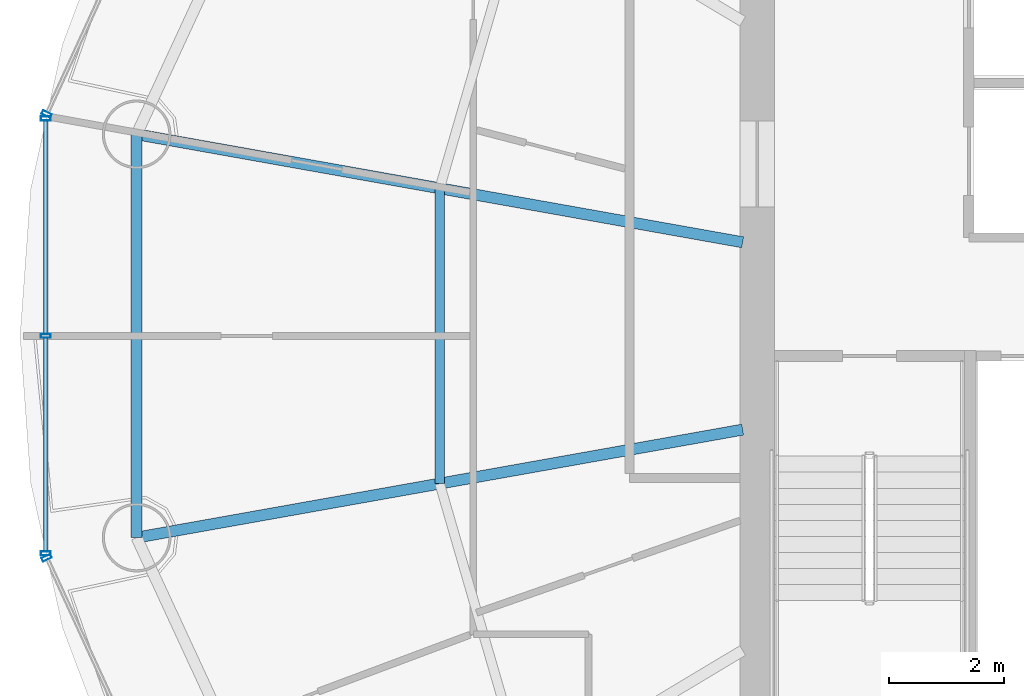
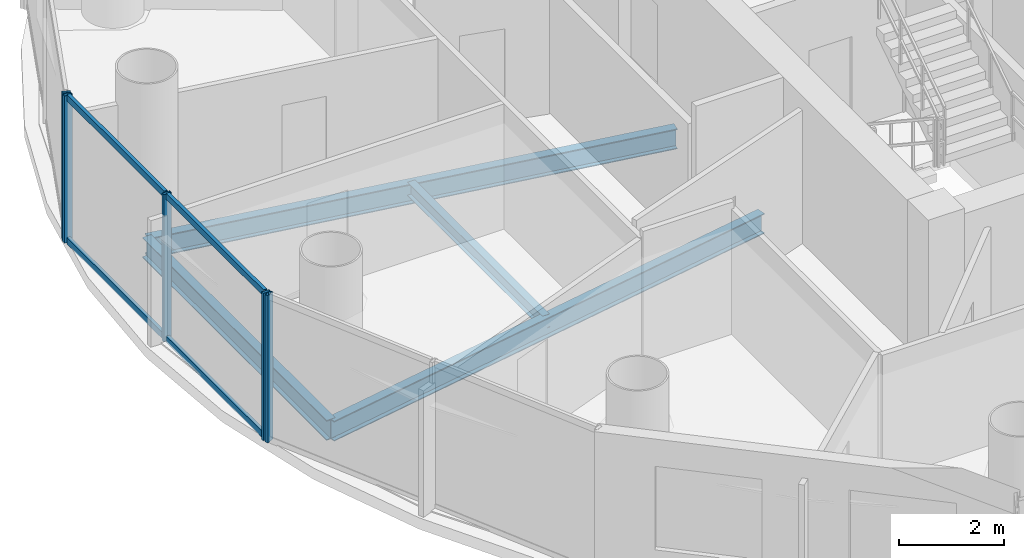
# One storey, part 8 of 26: 9 members, 4 beams, 3 elements without a shape of their own.
"""IFC4 building model written with IfcOpenShell, lengths in metres."""

from ifc_helpers import new_model, si_unit, direction, frame, origin, origin_2d, place, context, subcontext, project, spatial, hollow_rectangle, i_section, extrude, source, transform, mapped, material, material_profile, profile_set, type_object, element, aggregate, save


model = new_model("IFC4")

# Units and contexts
model_context = context("Model", 3, precision=1e-05, world=origin(), true_north=direction((-0.2419218956, 0.970295726276)))
body_context = subcontext(model_context, "Body", "Model", "MODEL_VIEW")
ifc_project = project(units=[si_unit("LENGTHUNIT", "METRE"), si_unit("AREAUNIT", "SQUARE_METRE"), si_unit("VOLUMEUNIT", "CUBIC_METRE"), si_unit("PLANEANGLEUNIT", "RADIAN"), si_unit("MASSUNIT", "GRAM", prefix="KILO")], contexts=[model_context])

# Site, building, storey
site_placement = place(None, origin())
site = spatial("IfcSite", under=ifc_project, at=site_placement, CompositionType="ELEMENT")
building_placement = place(site_placement, origin())
building = spatial("IfcBuilding", under=site, at=building_placement, Name="Cobrevalo Terracotta Tower", CompositionType="ELEMENT")
storey_placement = place(building_placement, frame((0.0, 0.0, 231.89990234375)))
storey = spatial("IfcBuildingStorey", under=building, at=storey_placement, Name="L61", CompositionType="ELEMENT", Elevation=231.89990234375)

# Beams
ifc_material_1 = material(Name="Steel S355", Category="steel")
ifc_material_profile_1 = material_profile(ifc_material_1, i_section(OverallWidth=0.194091796875, OverallDepth=0.468994140625, WebThickness=0.011474609375, FlangeThickness=0.0205078125, at=origin_2d()), Name="W 460x106")
ifc_profile_set_1 = profile_set([ifc_material_profile_1], Name="Steel S355")
beam_type_1 = type_object("IfcBeamType", Name="Structural Beam W 460x106 (Steel S355)", PredefinedType="BEAM", material=ifc_profile_set_1)
for number, where, z_axis, x_axis, name in (
    (1, (18.237060546875, 30.3212890625, -0.49951171875), (0.98449712063, -0.175400739656, 0.0), (0.175400739656, 0.98449712063, 0.0), "L61 radial floor girder 08"),
    (2, (18.237060546875, 23.278564453125, -0.49951171875), (0.984493198547, 0.175422752274, 0.0), (-0.175422752274, 0.984493198547, 0.0), "L61 radial floor girder 09"),
):
    element("IfcBeam", number, at=place(storey_placement, frame(where, z_axis=z_axis, x_axis=x_axis)), inside=storey, type_object=beam_type_1, Name=name, PredefinedType="BEAM", context=body_context, shape_type="SweptSolid", body=[
        extrude(i_section(OverallWidth=0.194091796875, OverallDepth=0.468994140625, WebThickness=0.011474609375, FlangeThickness=0.0205078125, at=origin_2d()), origin(), (0.0, 0.0, 1.0), 10.749755859375),
    ])
ifc_material_profile_2 = material_profile(ifc_material_1, i_section(OverallWidth=0.1650390625, OverallDepth=0.31005859375, WebThickness=0.005859375, FlangeThickness=0.009765625, at=origin_2d()), Name="W 310x38.7")
ifc_profile_set_2 = profile_set([ifc_material_profile_2], Name="Steel S355")
beam_type_2 = type_object("IfcBeamType", Name="Structural Joist W 310x38.7 (Steel S355)", PredefinedType="JOIST", material=ifc_profile_set_2)
beam_1_placement = place(storey_placement, frame((23.528564453125, 29.378662109375, -0.419921875), z_axis=(0.0, -1.0, 0.0), x_axis=(1.0, 0.0, 0.0)))
element("IfcBeam", 3, at=beam_1_placement, inside=storey, type_object=beam_type_2, Name="L61 circumferential secondary floor joist 08", PredefinedType="JOIST", context=body_context, shape_type="SweptSolid", body=[
    extrude(i_section(OverallWidth=0.1650390625, OverallDepth=0.31005859375, WebThickness=0.005859375, FlangeThickness=0.009765625, at=origin_2d()), origin(), (0.0, 0.0, 1.0), 5.1572265625),
])
ifc_material_profile_3 = material_profile(ifc_material_1, i_section(OverallWidth=0.194091796875, OverallDepth=0.468994140625, WebThickness=0.011474609375, FlangeThickness=0.0205078125, at=origin_2d()), Name="W 460x106")
ifc_profile_set_3 = profile_set([ifc_material_profile_3], Name="Steel S355")
beam_type_3 = type_object("IfcBeamType", Name="Structural Spandrel W 460x106 (Steel S355)", PredefinedType="SPANDREL", material=ifc_profile_set_3)
beam_2_placement = place(storey_placement, frame((18.237060546875, 30.3212890625, -0.49951171875), z_axis=(0.0, -1.0, 0.0), x_axis=(1.0, 0.0, 0.0)))
element("IfcBeam", 4, at=beam_2_placement, inside=storey, type_object=beam_type_3, Name="L61 perimeter ring spandrel 08", PredefinedType="SPANDREL", context=body_context, shape_type="SweptSolid", body=[
    extrude(i_section(OverallWidth=0.194091796875, OverallDepth=0.468994140625, WebThickness=0.011474609375, FlangeThickness=0.0205078125, at=origin_2d()), origin(), (0.0, 0.0, 1.0), 7.042724609375),
])

# Curtain wall, members
ifc_material_2 = material(Name="Anodized aluminium", Category="aluminium")
curtain_wall_type = type_object("IfcCurtainWallType", Name="Mid-tower high-wind unitised curtain wall CW-U2", PredefinedType="NOTDEFINED", material=ifc_material_2)
curtain_wall_1_placement = place(storey_placement, origin())
curtain_wall_1 = element("IfcCurtainWall", 5, at=curtain_wall_1_placement, inside=storey, type_object=curtain_wall_type, Name="L61 curtain wall CW-L61-S08", PredefinedType="NOTDEFINED")
ifc_material_profile_4 = material_profile(ifc_material_2, hollow_rectangle(XDim=0.074951171875, YDim=0.14990234375, WallThickness=0.00439453125, at=origin_2d()), Name="CWT 75x150")
ifc_profile_set_4 = profile_set([ifc_material_profile_4], Name="Anodized aluminium")
member_type_1 = type_object("IfcMemberType", Name="Tower unitised aluminium transom 75x150", PredefinedType="USERDEFINED", material=ifc_profile_set_4)
shared_shape_1 = source(origin(), body_context, "Body", "SweptSolid", [
    extrude(hollow_rectangle(XDim=0.074951171875, YDim=0.14990234375, WallThickness=0.00439453125, at=origin_2d()), origin(), (0.0, 0.0, 1.0), 3.71728515625),
])
member_1_placement = place(storey_placement, frame((16.648193359375, 30.557373046875, 0.050048828125), z_axis=(0.0, -1.0, 0.0), x_axis=(1.0, 0.0, 0.0)))
member_1 = element("IfcMember", 6, at=member_1_placement, type_object=member_type_1, Name="CW-L61-S08 transom B01-T1", ObjectType="TRANSOM", PredefinedType="USERDEFINED", context=body_context, shape_type="MappedRepresentation", body=[
    mapped(shared_shape_1, transform((0.0, 0.0, 0.0), scale=1.0)),
])
member_2_placement = place(storey_placement, frame((16.648193359375, 30.557373046875, 3.385009765625), z_axis=(0.0, -1.0, 0.0), x_axis=(1.0, 0.0, 0.0)))
member_2 = element("IfcMember", 7, at=member_2_placement, type_object=member_type_1, Name="CW-L61-S08 transom B01-T2", ObjectType="TRANSOM", PredefinedType="USERDEFINED", context=body_context, shape_type="MappedRepresentation", body=[
    mapped(shared_shape_1, transform((0.0, 0.0, 0.0), scale=1.0)),
])
shared_shape_2 = source(origin(), body_context, "Body", "SweptSolid", [
    extrude(hollow_rectangle(XDim=0.074951171875, YDim=0.14990234375, WallThickness=0.00439453125, at=origin_2d()), origin(), (0.0, 0.0, 1.0), 3.717529296875),
])
member_3_placement = place(storey_placement, frame((16.648193359375, 26.760009765625, 0.050048828125), z_axis=(0.0, -1.0, 0.0), x_axis=(1.0, 0.0, 0.0)))
member_3 = element("IfcMember", 8, at=member_3_placement, type_object=member_type_1, Name="CW-L61-S08 transom B02-T1", ObjectType="TRANSOM", PredefinedType="USERDEFINED", context=body_context, shape_type="MappedRepresentation", body=[
    mapped(shared_shape_2, transform((0.0, 0.0, 0.0), scale=1.0)),
])
member_4_placement = place(storey_placement, frame((16.648193359375, 26.760009765625, 3.385009765625), z_axis=(0.0, -1.0, 0.0), x_axis=(1.0, 0.0, 0.0)))
member_4 = element("IfcMember", 9, at=member_4_placement, type_object=member_type_1, Name="CW-L61-S08 transom B02-T2", ObjectType="TRANSOM", PredefinedType="USERDEFINED", context=body_context, shape_type="MappedRepresentation", body=[
    mapped(shared_shape_2, transform((0.0, 0.0, 0.0), scale=1.0)),
])

# Curtain wall, member
curtain_wall_2_placement = place(storey_placement, origin())
curtain_wall_2 = element("IfcCurtainWall", 10, at=curtain_wall_2_placement, inside=storey, type_object=curtain_wall_type, Name="L61 curtain wall CW-L61-S07", PredefinedType="NOTDEFINED")
ifc_material_profile_5 = material_profile(ifc_material_2, hollow_rectangle(XDim=0.070068359375, YDim=0.169921875, WallThickness=0.00439453125, at=origin_2d()), Name="CWM 70x170")
ifc_profile_set_5 = profile_set([ifc_material_profile_5], Name="Anodized aluminium")
member_type_2 = type_object("IfcMemberType", Name="Upper tower unitised mullion 70x170", PredefinedType="MULLION", material=ifc_profile_set_5)
shared_shape_3 = source(origin(), body_context, "Body", "SweptSolid", [
    extrude(hollow_rectangle(XDim=0.070068359375, YDim=0.169921875, WallThickness=0.00439453125, at=origin_2d()), origin(), (0.0, 0.0, 1.0), 3.43505859375),
])
member_5_placement = place(storey_placement, frame((16.6650390625, 30.673828125, 0.0), z_axis=(0.0, 0.0, 1.0), x_axis=(-0.41672507912, -0.909032567311, 0.0)))
member_5 = element("IfcMember", 11, at=member_5_placement, type_object=member_type_2, Name="CW-L61-S07 vertical mullion 03", PredefinedType="MULLION", context=body_context, shape_type="MappedRepresentation", body=[
    mapped(shared_shape_3, transform((0.0, 0.0, 0.0), scale=1.0)),
])
aggregate(curtain_wall_2, [member_5])

# Member
member_6_placement = place(storey_placement, frame((16.648193359375, 30.597412109375, 0.0), z_axis=(0.0, 0.0, 1.0), x_axis=(0.0, -1.0, 0.0)))
member_6 = element("IfcMember", 12, at=member_6_placement, type_object=member_type_2, Name="CW-L61-S08 vertical mullion 01", PredefinedType="MULLION", context=body_context, shape_type="MappedRepresentation", body=[
    mapped(shared_shape_3, transform((0.0, 0.0, 0.0), scale=1.0)),
])

member_7_placement = place(storey_placement, frame((16.648193359375, 26.800048828125, 0.0), z_axis=(0.0, 0.0, 1.0), x_axis=(0.0, -1.0, 0.0)))
member_7 = element("IfcMember", 13, at=member_7_placement, type_object=member_type_2, Name="CW-L61-S08 vertical mullion 02", PredefinedType="MULLION", context=body_context, shape_type="MappedRepresentation", body=[
    mapped(shared_shape_3, transform((0.0, 0.0, 0.0), scale=1.0)),
])

member_8_placement = place(storey_placement, frame((16.648193359375, 23.002685546875, 0.0), z_axis=(0.0, 0.0, 1.0), x_axis=(0.0, -1.0, 0.0)))
member_8 = element("IfcMember", 14, at=member_8_placement, type_object=member_type_2, Name="CW-L61-S08 vertical mullion 03", PredefinedType="MULLION", context=body_context, shape_type="MappedRepresentation", body=[
    mapped(shared_shape_3, transform((0.0, 0.0, 0.0), scale=1.0)),
])

aggregate(curtain_wall_1, [member_6, member_7, member_8, member_1, member_2, member_3, member_4])

# Curtain wall, member
curtain_wall_3_placement = place(storey_placement, origin())
curtain_wall_3 = element("IfcCurtainWall", 15, at=curtain_wall_3_placement, inside=storey, type_object=curtain_wall_type, Name="L61 curtain wall CW-L61-S09", PredefinedType="NOTDEFINED")
member_9_placement = place(storey_placement, frame((16.6650390625, 22.92626953125, 0.0), z_axis=(0.0, 0.0, 1.0), x_axis=(0.41672507912, -0.909032567311, 0.0)))
member_9 = element("IfcMember", 16, at=member_9_placement, type_object=member_type_2, Name="CW-L61-S09 vertical mullion 01", PredefinedType="MULLION", context=body_context, shape_type="MappedRepresentation", body=[
    mapped(shared_shape_3, transform((0.0, 0.0, 0.0), scale=1.0)),
])
aggregate(curtain_wall_3, [member_9])

save(model, "model.ifc")
